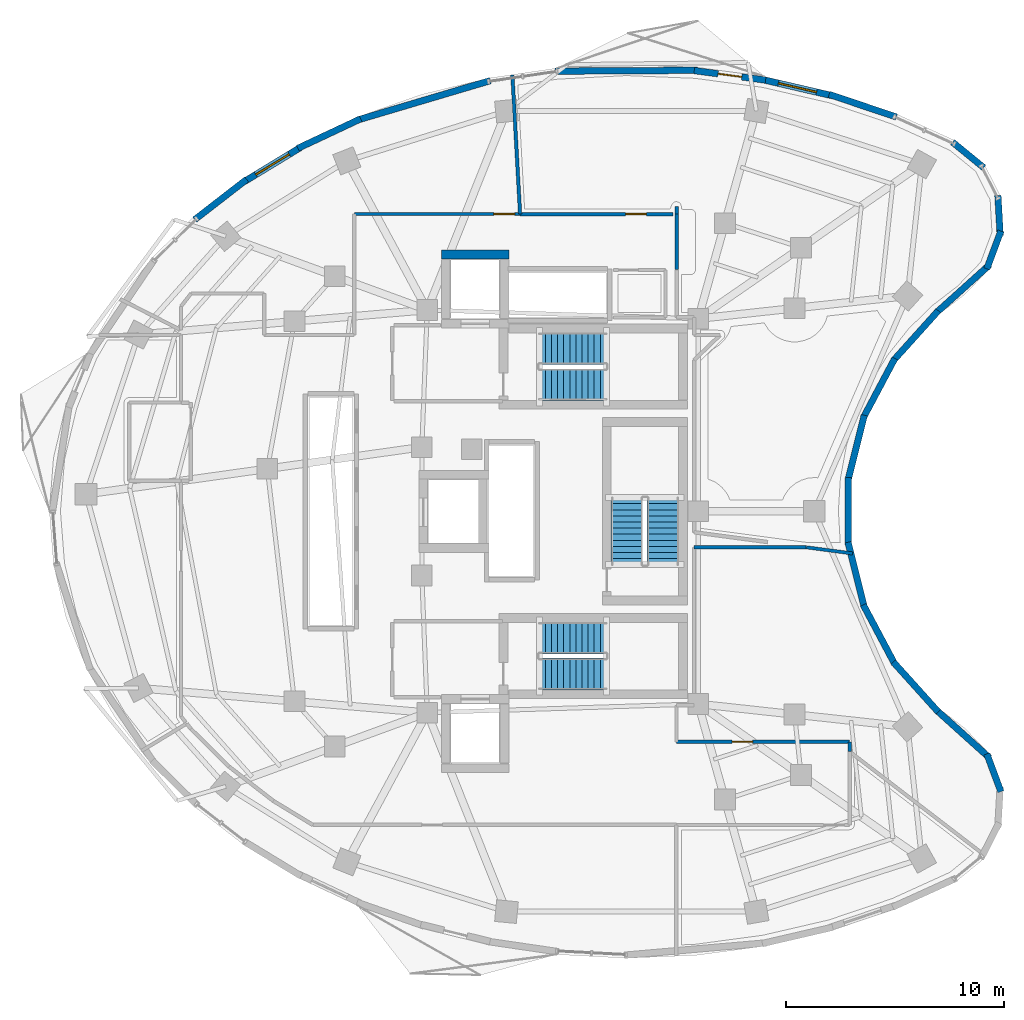
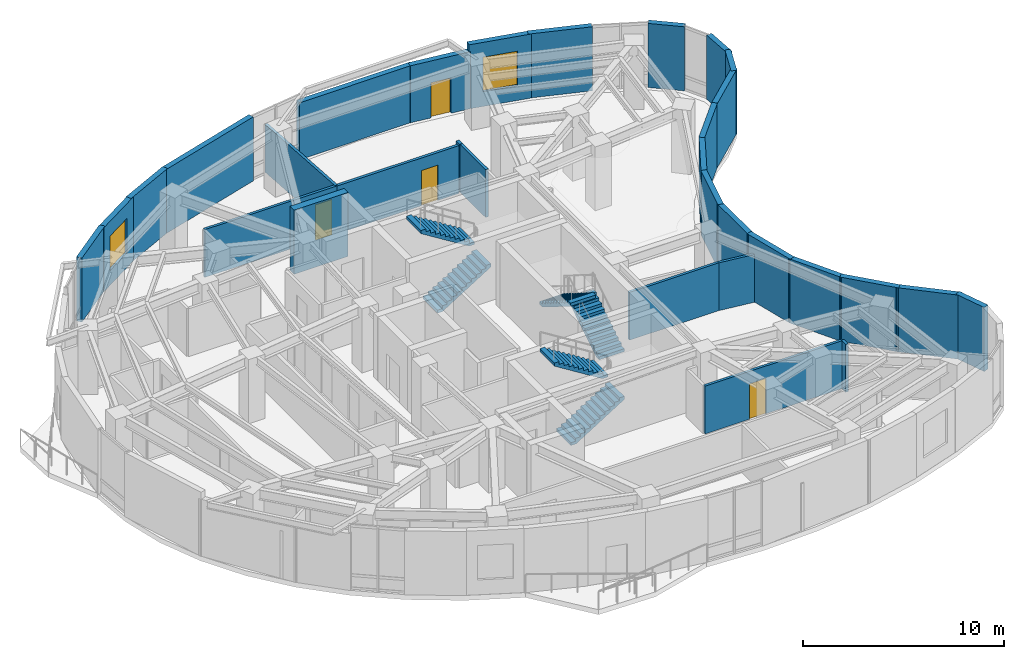
# One storey, part 9 of 12: 31 walls, 6 stair flights, 4 doors, 2 windows, 6 openings, 3 elements without a shape of their own.
"""IFC4 building model written with IfcOpenShell, lengths in metres."""

from ifc_helpers import new_model, si_unit, direction, frame, frame_2d, origin, place, context, subcontext, project, spatial, polyline, rectangle, outline, extrude, material, layer, layer_set, type_object, element, fill, aggregate, save


model = new_model("IFC4")

# Units and contexts
model_context = context("Model", 3, precision=1e-05, world=origin(), true_north=direction((0.0, 1.0)))
body_context = subcontext(model_context, "Body", "Model", "MODEL_VIEW")
ifc_project = project(units=[si_unit("LENGTHUNIT", "METRE"), si_unit("AREAUNIT", "SQUARE_METRE"), si_unit("VOLUMEUNIT", "CUBIC_METRE"), si_unit("PLANEANGLEUNIT", "RADIAN"), si_unit("MASSUNIT", "GRAM", prefix="KILO")], contexts=[model_context])

# Site, building, storey
site_placement = place(None, origin())
site = spatial("IfcSite", under=ifc_project, at=site_placement, CompositionType="ELEMENT")
building_placement = place(site_placement, origin())
building = spatial("IfcBuilding", under=site, at=building_placement, Name="Korentha Bioscience Tower", CompositionType="ELEMENT")
storey_placement = place(building_placement, frame((0.0, 0.0, 179.39990234375)))
storey = spatial("IfcBuildingStorey", under=building, at=storey_placement, Name="L41", CompositionType="ELEMENT", Elevation=179.39990234375)

# Wall, opening, door
ifc_material_1 = material(Name="Double-Stud Acoustic Gypsum", Category="gypsum")
ifc_layer_1 = layer(ifc_material_1, 0.14990234375, Name="Double-Stud Acoustic Gypsum")
ifc_layer_set_1 = layer_set([ifc_layer_1], Name="Double-Stud Acoustic Gypsum (IW-L150)")
wall_type_1 = type_object("IfcWallType", Name="Acoustic Laboratory Partition Wall 150", PredefinedType="PARTITIONING", material=ifc_layer_set_1)
wall_1_placement = place(storey_placement, frame((44.5, 16.409912109375, 0.0), z_axis=(0.0, 0.0, 1.0), x_axis=(-1.0, 0.0, 0.0)))
wall_1 = element("IfcWall", 1, at=wall_1_placement, inside=storey, type_object=wall_type_1, Name="L41 Principal Investigator Office 04 Entrance Wall", PredefinedType="PARTITIONING", context=body_context, shape_type="SweptSolid", body=[
    extrude(rectangle(XDim=7.947998046875, YDim=0.14990234375, at=frame_2d((3.97412109375, 0.0))), origin(), (0.0, 0.0, 1.0), 2.91015625),
])
opening_1_placement = place(wall_1_placement, frame((4.44873046875, 0.0, 0.0)))
opening_1 = element("IfcOpeningElement", 2, at=opening_1_placement, cuts=wall_1, Name="Opening ID-10L", PredefinedType="OPENING", context=body_context, shape_type="SweptSolid", body=[
    extrude(rectangle(XDim=0.949951171875, YDim=2.14990234375, at=frame_2d((0.47509765625, 1.074951171875))), frame((0.0, 0.08984375, 0.0), z_axis=(0.0, -1.0, 0.0), x_axis=(1.0, 0.0, 0.0)), (0.0, 0.0, 1.0), 0.1796875),
])
ifc_material_2 = material(Name="Phenolic Laminate Timber Core", Category="wood")
door_type_1 = type_object("IfcDoorType", Name="Laboratory Single Leaf Door 950x2150 Left", OperationType="SINGLE_SWING_LEFT", PredefinedType="DOOR", material=ifc_material_2)
door_1_placement = place(opening_1_placement, origin())
door_1 = element("IfcDoor", 3, at=door_1_placement, inside=storey, type_object=door_type_1, Name="L41 Principal Investigator Office 04 Door", OperationType="SINGLE_SWING_LEFT", OverallHeight=2.14990234375, OverallWidth=0.949951171875, PredefinedType="DOOR", context=body_context, shape_type="SweptSolid", body=[
    extrude(rectangle(XDim=0.949951171875, YDim=2.14990234375, at=frame_2d((0.47509765625, 1.074951171875))), frame((0.0, 0.02490234375, 0.0), z_axis=(0.0, -1.0, 0.0), x_axis=(1.0, 0.0, 0.0)), (0.0, 0.0, 1.0), 0.050048828125),
])
fill(opening_1, door_1)

wall_2_placement = place(storey_placement, frame((29.35546875, 40.659912109375, 0.0), z_axis=(0.0, 0.0, 1.0), x_axis=(-1.0, 0.0, 0.0)))
wall_2 = element("IfcWall", 4, at=wall_2_placement, inside=storey, type_object=wall_type_1, Name="L41 Principal Investigator Office 06 Entrance Wall", PredefinedType="PARTITIONING", context=body_context, shape_type="SweptSolid", body=[
    extrude(rectangle(XDim=7.60546875, YDim=0.14990234375, at=frame_2d((3.802734375, 0.0))), origin(), (0.0, 0.0, 1.0), 2.91015625),
])
opening_2_placement = place(wall_2_placement, frame((0.239990234375, 0.0, 0.0)))
opening_2 = element("IfcOpeningElement", 5, at=opening_2_placement, cuts=wall_2, Name="Opening ID-10L", PredefinedType="OPENING", context=body_context, shape_type="SweptSolid", body=[
    extrude(rectangle(XDim=0.949951171875, YDim=2.14990234375, at=frame_2d((0.47509765625, 1.074951171875))), frame((0.0, 0.08984375, 0.0), z_axis=(0.0, -1.0, 0.0), x_axis=(1.0, 0.0, 0.0)), (0.0, 0.0, 1.0), 0.1796875),
])
door_2_placement = place(opening_2_placement, origin())
door_2 = element("IfcDoor", 6, at=door_2_placement, inside=storey, type_object=door_type_1, Name="L41 Principal Investigator Office 06 Door", OperationType="SINGLE_SWING_LEFT", OverallHeight=2.14990234375, OverallWidth=0.949951171875, PredefinedType="DOOR", context=body_context, shape_type="SweptSolid", body=[
    extrude(rectangle(XDim=0.949951171875, YDim=2.14990234375, at=frame_2d((0.47509765625, 1.074951171875))), frame((0.0, 0.02490234375, 0.0), z_axis=(0.0, -1.0, 0.0), x_axis=(1.0, 0.0, 0.0)), (0.0, 0.0, 1.0), 0.050048828125),
])
fill(opening_2, door_2)

# Walls
wall_3_placement = place(storey_placement, frame((37.360107421875, 25.347900390625, 0.0), z_axis=(0.0, 0.0, 1.0), x_axis=(1.0, 0.0, 0.0)))
element("IfcWall", 7, at=wall_3_placement, inside=storey, type_object=wall_type_1, Name="L41 Interior Partition 029", PredefinedType="PARTITIONING", context=body_context, shape_type="SweptSolid", body=[
    extrude(rectangle(XDim=5.14990234375, YDim=0.14990234375, at=frame_2d((2.574951171875, 0.0))), origin(), (0.0, 0.0, 1.0), 2.91015625),
])
wall_4_placement = place(storey_placement, frame((42.510009765625, 25.347900390625, 0.0), z_axis=(0.0, 0.0, 1.0), x_axis=(0.991248706097, -0.132007585617, 0.0)))
element("IfcWall", 8, at=wall_4_placement, inside=storey, type_object=wall_type_1, Name="L41 Interior Partition 030", PredefinedType="PARTITIONING", context=body_context, shape_type="SweptSolid", body=[
    extrude(rectangle(XDim=2.15087890625, YDim=0.14990234375, at=frame_2d((1.075439453125, 0.0))), origin(), (0.0, 0.0, 1.0), 2.91015625),
])
wall_5_placement = place(storey_placement, frame((44.510009765625, 15.9658203125, 0.0), z_axis=(0.0, 0.0, 1.0), x_axis=(0.0, 1.0, 0.0)))
element("IfcWall", 9, at=wall_5_placement, inside=storey, type_object=wall_type_1, Name="L41 Interior Partition 031", PredefinedType="PARTITIONING", context=body_context, shape_type="SweptSolid", body=[
    extrude(rectangle(XDim=0.43408203125, YDim=0.14990234375, at=frame_2d((0.217041015625, 0.0))), origin(), (0.0, 0.0, 1.0), 2.91015625),
])

# Wall, opening, door
ifc_material_3 = material(Name="Gypsum-Clad Steel Stud", Category="steel")
ifc_layer_2 = layer(ifc_material_3, 0.159912109375, Name="Gypsum-Clad Steel Stud")
ifc_layer_set_2 = layer_set([ifc_layer_2], Name="Gypsum-Clad Steel Stud (IW-C160)")
wall_type_2 = type_object("IfcWallType", Name="Fire-Rated Corridor Partition Wall 160", PredefinedType="PARTITIONING", material=ifc_layer_set_2)
wall_6_placement = place(storey_placement, frame((36.384521484375, 40.659912109375, 0.0), z_axis=(0.0, 0.0, 1.0), x_axis=(-1.0, 0.0, 0.0)))
wall_6 = element("IfcWall", 10, at=wall_6_placement, inside=storey, type_object=wall_type_2, Name="L41 Glassware Autoclave Wash Alcove 05 Entrance Wall", PredefinedType="PARTITIONING", context=body_context, shape_type="SweptSolid", body=[
    extrude(rectangle(XDim=7.01904296875, YDim=0.159912109375, at=frame_2d((3.509521484375, 0.0))), origin(), (0.0, 0.0, 1.0), 2.91015625),
])
opening_3_placement = place(wall_6_placement, frame((1.21728515625, 0.0, 0.0)))
opening_3 = element("IfcOpeningElement", 11, at=opening_3_placement, cuts=wall_6, Name="Opening ID-10R", PredefinedType="OPENING", context=body_context, shape_type="SweptSolid", body=[
    extrude(rectangle(XDim=0.949951171875, YDim=2.14990234375, at=frame_2d((0.47509765625, 1.074951171875))), frame((0.0, 0.0947265625, 0.0), z_axis=(0.0, -1.0, 0.0), x_axis=(1.0, 0.0, 0.0)), (0.0, 0.0, 1.0), 0.189697265625),
])
door_type_2 = type_object("IfcDoorType", Name="Laboratory Single Leaf Door 950x2150 Right", OperationType="SINGLE_SWING_RIGHT", PredefinedType="DOOR", material=ifc_material_2)
door_3_placement = place(opening_3_placement, origin())
door_3 = element("IfcDoor", 12, at=door_3_placement, inside=storey, type_object=door_type_2, Name="L41 Glassware Autoclave Wash Alcove 05 Door", OperationType="SINGLE_SWING_RIGHT", OverallHeight=2.14990234375, OverallWidth=0.949951171875, PredefinedType="DOOR", context=body_context, shape_type="SweptSolid", body=[
    extrude(rectangle(XDim=0.949951171875, YDim=2.14990234375, at=frame_2d((0.47509765625, 1.074951171875))), frame((0.0, 0.02490234375, 0.0), z_axis=(0.0, -1.0, 0.0), x_axis=(1.0, 0.0, 0.0)), (0.0, 0.0, 1.0), 0.050048828125),
])
fill(opening_3, door_3)

# Walls
wall_7_placement = place(storey_placement, frame((36.56201171875, 38.10009765625, 0.0), z_axis=(0.0, 0.0, 1.0), x_axis=(0.0, 1.0, 0.0)))
element("IfcWall", 13, at=wall_7_placement, inside=storey, type_object=wall_type_2, Name="L41 Interior Partition 041", PredefinedType="PARTITIONING", context=body_context, shape_type="SweptSolid", body=[
    extrude(rectangle(XDim=2.5498046875, YDim=0.159912109375, at=frame_2d((1.27490234375, 0.0))), origin(), (0.0, 0.0, 1.0), 2.91015625),
])
wall_8_placement = place(storey_placement, frame((36.552001953125, 40.659912109375, 0.0), z_axis=(0.0, 0.0, 1.0), x_axis=(0.0, 1.0, 0.0)))
element("IfcWall", 14, at=wall_8_placement, inside=storey, type_object=wall_type_2, Name="L41 Interior Partition 043", PredefinedType="PARTITIONING", context=body_context, shape_type="SweptSolid", body=[
    extrude(rectangle(XDim=0.3466796875, YDim=0.159912109375, at=frame_2d((0.17333984375, 0.0))), origin(), (0.0, 0.0, 1.0), 2.91015625),
])
wall_9_placement = place(storey_placement, frame((29.365478515625, 40.659912109375, 0.0), z_axis=(0.0, 0.0, 1.0), x_axis=(-0.055309349604, 0.99846926635, 0.0)))
element("IfcWall", 15, at=wall_9_placement, inside=storey, type_object=wall_type_2, Name="L41 Interior Partition 044", PredefinedType="PARTITIONING", context=body_context, shape_type="SweptSolid", body=[
    extrude(rectangle(XDim=6.39599609375, YDim=0.159912109375, at=frame_2d((3.197998046875, 0.0))), origin(), (0.0, 0.0, 1.0), 2.91015625),
])

# Wall, opening, window
ifc_material_4 = material(Name="Honed Limestone Precast Concrete C40", Category="masonry")
ifc_layer_3 = layer(ifc_material_4, 0.300048828125, Name="Honed Limestone Precast Concrete C40")
ifc_layer_set_3 = layer_set([ifc_layer_3], Name="Honed Limestone Precast Concrete C40 (EW-ST300)")
wall_type_3 = type_object("IfcWallType", Name="Honed Limestone Cavity Spandrel Wall 300", PredefinedType="STANDARD", material=ifc_layer_set_3)
wall_10_placement = place(storey_placement, frame((43.70361328125, 46.096923828125, 0.0), z_axis=(0.0, 0.0, 1.0), x_axis=(-0.974182179996, 0.225763327799, 0.0)))
wall_10 = element("IfcWall", 16, at=wall_10_placement, inside=storey, type_object=wall_type_3, Name="L41 Honed Limestone Spandrel Wall 03", PredefinedType="STANDARD", context=body_context, shape_type="SweptSolid", body=[
    extrude(rectangle(XDim=3.2744140625, YDim=0.300048828125, at=frame_2d((1.63720703125, 0.0))), origin(), (0.0, 0.0, 1.0), 3.900146484375),
])
opening_4_placement = place(wall_10_placement, frame((0.7373046875, 0.0, 0.89990234375)))
opening_4 = element("IfcOpeningElement", 17, at=opening_4_placement, cuts=wall_10, Name="Opening WN-01", PredefinedType="OPENING", context=body_context, shape_type="SweptSolid", body=[
    extrude(rectangle(XDim=1.800048828125, YDim=2.10009765625, at=frame_2d((0.89990234375, 1.050048828125))), frame((0.0, 0.1650390625, 0.0), z_axis=(0.0, -1.0, 0.0), x_axis=(1.0, 0.0, 0.0)), (0.0, 0.0, 1.0), 0.329833984375),
])
ifc_material_5 = material(Name="Thermally Broken Aluminium Triple Glazing", Category="aluminium")
window_type = type_object("IfcWindowType", Name="Triple-Glazed Fixed Bioscience Window 1800x2100", PartitioningType="SINGLE_PANEL", PredefinedType="WINDOW", material=ifc_material_5)
window_1_placement = place(opening_4_placement, origin())
window_1 = element("IfcWindow", 18, at=window_1_placement, inside=storey, type_object=window_type, Name="L41 Facade Window 03", OverallHeight=2.10009765625, OverallWidth=1.800048828125, PartitioningType="SINGLE_PANEL", PredefinedType="WINDOW", context=body_context, shape_type="SweptSolid", body=[
    extrude(rectangle(XDim=1.800048828125, YDim=2.10009765625, at=frame_2d((0.89990234375, 1.050048828125))), frame((0.0, 0.030029296875, 0.0), z_axis=(0.0, -1.0, 0.0), x_axis=(1.0, 0.0, 0.0)), (0.0, 0.0, 1.0), 0.06005859375),
])
fill(opening_4, window_1)

# Wall, opening, door
wall_11_placement = place(storey_placement, frame((40.646484375, 46.81201171875, 0.0), z_axis=(0.0, 0.0, 1.0), x_axis=(-0.991139436205, 0.132825517122, 0.0)))
wall_11 = element("IfcWall", 19, at=wall_11_placement, inside=storey, type_object=wall_type_3, Name="L41 Balcony Threshold Wall 01", PredefinedType="STANDARD", context=body_context, shape_type="SweptSolid", body=[
    extrude(rectangle(XDim=3.310302734375, YDim=0.300048828125, at=frame_2d((1.6552734375, 0.0))), origin(), (0.0, 0.0, 1.0), 3.47021484375),
])
opening_5_placement = place(wall_11_placement, frame((1.105224609375, 0.0, 0.0)))
opening_5 = element("IfcOpeningElement", 20, at=opening_5_placement, cuts=wall_11, Name="Opening BD-11L", PredefinedType="OPENING", context=body_context, shape_type="SweptSolid", body=[
    extrude(rectangle(XDim=1.10009765625, YDim=2.14990234375, at=frame_2d((0.550048828125, 1.074951171875))), frame((0.0, 0.1650390625, 0.0), z_axis=(0.0, -1.0, 0.0), x_axis=(1.0, 0.0, 0.0)), (0.0, 0.0, 1.0), 0.329833984375),
])
ifc_material_6 = material(Name="Thermally Broken Glazed Aluminium", Category="aluminium")
door_type_3 = type_object("IfcDoorType", Name="Balcony Terrace Glazed Door 1100x2150 Left", OperationType="SINGLE_SWING_LEFT", PredefinedType="DOOR", material=ifc_material_6)
door_4_placement = place(opening_5_placement, origin())
door_4 = element("IfcDoor", 21, at=door_4_placement, inside=storey, type_object=door_type_3, Name="L41 Balcony Access Door 01", OperationType="SINGLE_SWING_LEFT", OverallHeight=2.14990234375, OverallWidth=1.10009765625, PredefinedType="DOOR", context=body_context, shape_type="SweptSolid", body=[
    extrude(rectangle(XDim=1.10009765625, YDim=2.14990234375, at=frame_2d((0.550048828125, 1.074951171875))), frame((0.0, 0.02490234375, 0.0), z_axis=(0.0, -1.0, 0.0), x_axis=(1.0, 0.0, 0.0)), (0.0, 0.0, 1.0), 0.050048828125),
])
fill(opening_5, door_4)

# Wall, opening, window
wall_12_placement = place(storey_placement, frame((19.303466796875, 43.736083984375, 0.0), z_axis=(0.0, 0.0, 1.0), x_axis=(-0.85455658592, -0.519358297769, 0.0)))
wall_12 = element("IfcWall", 22, at=wall_12_placement, inside=storey, type_object=wall_type_3, Name="L41 Honed Limestone Spandrel Wall 11", PredefinedType="STANDARD", context=body_context, shape_type="SweptSolid", body=[
    extrude(rectangle(XDim=3.06640625, YDim=0.300048828125, at=frame_2d((1.533203125, 0.0))), origin(), (0.0, 0.0, 1.0), 3.900146484375),
])
opening_6_placement = place(wall_12_placement, frame((0.63330078125, 0.0, 0.89990234375)))
opening_6 = element("IfcOpeningElement", 23, at=opening_6_placement, cuts=wall_12, Name="Opening WN-01", PredefinedType="OPENING", context=body_context, shape_type="SweptSolid", body=[
    extrude(rectangle(XDim=1.800048828125, YDim=2.10009765625, at=frame_2d((0.89990234375, 1.050048828125))), frame((0.0, 0.1650390625, 0.0), z_axis=(0.0, -1.0, 0.0), x_axis=(1.0, 0.0, 0.0)), (0.0, 0.0, 1.0), 0.329833984375),
])
window_2_placement = place(opening_6_placement, origin())
window_2 = element("IfcWindow", 24, at=window_2_placement, inside=storey, type_object=window_type, Name="L41 Facade Window 11", OverallHeight=2.10009765625, OverallWidth=1.800048828125, PartitioningType="SINGLE_PANEL", PredefinedType="WINDOW", context=body_context, shape_type="SweptSolid", body=[
    extrude(rectangle(XDim=1.800048828125, YDim=2.10009765625, at=frame_2d((0.89990234375, 1.050048828125))), frame((0.0, 0.030029296875, 0.0), z_axis=(0.0, -1.0, 0.0), x_axis=(1.0, 0.0, 0.0)), (0.0, 0.0, 1.0), 0.06005859375),
])
fill(opening_6, window_2)

# Walls
wall_13_placement = place(storey_placement, frame((46.652099609375, 45.117919921875, 0.0), z_axis=(0.0, 0.0, 1.0), x_axis=(-0.947683163779, 0.319212501462, 0.0)))
element("IfcWall", 25, at=wall_13_placement, inside=storey, type_object=wall_type_3, Name="L41 Limestone Perimeter Closure Wall 02", PredefinedType="STANDARD", context=body_context, shape_type="SweptSolid", body=[
    extrude(rectangle(XDim=3.261962890625, YDim=0.300048828125, at=frame_2d((1.630859375, 0.0))), origin(), (0.0, 0.0, 1.0), 3.900146484375),
])
wall_14_placement = place(storey_placement, frame((37.52685546875, 47.2626953125, 0.0), z_axis=(0.0, 0.0, 1.0), x_axis=(-0.999982312698, -0.005947629086, 0.0)))
element("IfcWall", 26, at=wall_14_placement, inside=storey, type_object=wall_type_3, Name="L41 Limestone Perimeter Closure Wall 05", PredefinedType="STANDARD", context=body_context, shape_type="SweptSolid", body=[
    extrude(rectangle(XDim=6.567626953125, YDim=0.300048828125, at=frame_2d((3.28369140625, 0.0))), origin(), (0.0, 0.0, 1.0), 3.47021484375),
])
wall_15_placement = place(storey_placement, frame((28.001708984375, 46.791259765625, 0.0), z_axis=(0.0, 0.0, 1.0), x_axis=(-0.958672086524, -0.284513322218, 0.0)))
element("IfcWall", 27, at=wall_15_placement, inside=storey, type_object=wall_type_3, Name="L41 Limestone Perimeter Closure Wall 08", PredefinedType="STANDARD", context=body_context, shape_type="SweptSolid", body=[
    extrude(rectangle(XDim=6.3955078125, YDim=0.300048828125, at=frame_2d((3.19775390625, 0.0))), origin(), (0.0, 0.0, 1.0), 3.900146484375),
])
wall_16_placement = place(storey_placement, frame((22.03955078125, 45.035888671875, 0.0), z_axis=(0.0, 0.0, 1.0), x_axis=(-0.90504435143, -0.425317201561, 0.0)))
element("IfcWall", 28, at=wall_16_placement, inside=storey, type_object=wall_type_3, Name="L41 Limestone Perimeter Closure Wall 10", PredefinedType="STANDARD", context=body_context, shape_type="SweptSolid", body=[
    extrude(rectangle(XDim=3.185791015625, YDim=0.300048828125, at=frame_2d((1.5927734375, 0.0))), origin(), (0.0, 0.0, 1.0), 3.900146484375),
])
wall_17_placement = place(storey_placement, frame((16.80029296875, 42.249755859375, 0.0), z_axis=(0.0, 0.0, 1.0), x_axis=(-0.790530517055, -0.612422649488, 0.0)))
element("IfcWall", 29, at=wall_17_placement, inside=storey, type_object=wall_type_3, Name="L41 Limestone Perimeter Closure Wall 12", PredefinedType="STANDARD", context=body_context, shape_type="SweptSolid", body=[
    extrude(rectangle(XDim=3.019775390625, YDim=0.300048828125, at=frame_2d((1.509765625, 0.0))), origin(), (0.0, 0.0, 1.0), 3.900146484375),
])
wall_18_placement = place(storey_placement, frame((51.45751953125, 14.121337890625, 0.0), z_axis=(0.0, 0.0, 1.0), x_axis=(-0.348984166898, 0.937128620443, 0.0)))
element("IfcWall", 30, at=wall_18_placement, inside=storey, type_object=wall_type_3, Name="L41 Limestone Perimeter Closure Wall 40", PredefinedType="STANDARD", context=body_context, shape_type="SweptSolid", body=[
    extrude(rectangle(XDim=1.851806640625, YDim=0.300048828125, at=frame_2d((0.92578125, 0.0))), origin(), (0.0, 0.0, 1.0), 3.900146484375),
])
wall_19_placement = place(storey_placement, frame((50.936279296875, 15.6728515625, 0.0), z_axis=(0.0, 0.0, 1.0), x_axis=(-0.743341827472, 0.668911748687, 0.0)))
element("IfcWall", 31, at=wall_19_placement, inside=storey, type_object=wall_type_3, Name="L41 Limestone Perimeter Closure Wall 41", PredefinedType="STANDARD", context=body_context, shape_type="SweptSolid", body=[
    extrude(rectangle(XDim=3.3095703125, YDim=0.300048828125, at=frame_2d((1.65478515625, 0.0))), origin(), (0.0, 0.0, 1.0), 3.900146484375),
])
for number, where, z_axis, x_axis, name in (
    (32, (48.57861328125, 17.7841796875, 0.0), (0.0, 0.0, 1.0), (-0.669165704933, 0.743113221079, 0.0), "L41 Limestone Perimeter Closure Wall 43"),
    (33, (46.58447265625, 19.975830078125, 0.0), (0.0, 0.0, 1.0), (-0.469471310295, 0.882947727111, 0.0), "L41 Limestone Perimeter Closure Wall 45"),
    (34, (45.179931640625, 22.585205078125, 0.0), (0.0, 0.0, 1.0), (-0.241940068914, 0.970291194979, 0.0), "L41 Limestone Perimeter Closure Wall 47"),
    (35, (44.448486328125, 25.45654296875, 0.0), (0.0, 0.0, 1.0), (0.0, 1.0, 0.0), "L41 Limestone Perimeter Closure Wall 49"),
    (36, (44.43310546875, 28.419677734375, 0.0), (0.0, 0.0, 1.0), (0.241940068914, 0.970291194979, 0.0), "L41 Limestone Perimeter Closure Wall 51"),
    (37, (45.13525390625, 31.298583984375, 0.0), (0.0, 0.0, 1.0), (0.469471310295, 0.882947727111, 0.0), "L41 Limestone Perimeter Closure Wall 53"),
    (38, (46.512939453125, 33.921875, 0.0), (0.0, 0.0, 1.0), (0.669165704933, 0.743113221079, 0.0), "L41 Limestone Perimeter Closure Wall 55"),
):
    element("IfcWall", number, at=place(storey_placement, frame(where, z_axis=z_axis, x_axis=x_axis)), inside=storey, type_object=wall_type_3, Name=name, PredefinedType="STANDARD", context=body_context, shape_type="SweptSolid", body=[
        extrude(rectangle(XDim=3.0869140625, YDim=0.300048828125, at=frame_2d((1.54345703125, 0.0))), origin(), (0.0, 0.0, 1.0), 3.900146484375),
    ])
wall_20_placement = place(storey_placement, frame((48.47607421875, 36.11328125, 0.0), z_axis=(0.0, 0.0, 1.0), x_axis=(0.743341827472, 0.668911748687, 0.0)))
element("IfcWall", 39, at=wall_20_placement, inside=storey, type_object=wall_type_3, Name="L41 Limestone Perimeter Closure Wall 57", PredefinedType="STANDARD", context=body_context, shape_type="SweptSolid", body=[
    extrude(rectangle(XDim=3.3095703125, YDim=0.300048828125, at=frame_2d((1.65478515625, 0.0))), origin(), (0.0, 0.0, 1.0), 3.900146484375),
])
for number, where, z_axis, x_axis, name in (
    (40, (50.811279296875, 38.143310546875, 0.0), (0.0, 0.0, 1.0), (0.348984166898, 0.937128620443, 0.0), "L41 Limestone Perimeter Closure Wall 59"),
    (41, (51.425537109375, 39.6669921875, 0.0), (0.0, 0.0, 1.0), (-0.057485341891, 0.998346350455, 0.0), "L41 Limestone Perimeter Closure Wall 60"),
    (42, (50.668212890625, 42.7919921875, 0.0), (0.0, 0.0, 1.0), (-0.774174596654, 0.632972111467, 0.0), "L41 Limestone Perimeter Closure Wall 62"),
):
    element("IfcWall", number, at=place(storey_placement, frame(where, z_axis=z_axis, x_axis=x_axis)), inside=storey, type_object=wall_type_3, Name=name, PredefinedType="STANDARD", context=body_context, shape_type="SweptSolid", body=[
        extrude(rectangle(XDim=1.851806640625, YDim=0.300048828125, at=frame_2d((0.92578125, 0.0))), origin(), (0.0, 0.0, 1.0), 3.900146484375),
    ])
ifc_material_7 = material(Name="Concrete C65", Category="concrete")
ifc_layer_4 = layer(ifc_material_7, 0.39990234375, Name="Concrete C65")
ifc_layer_set_4 = layer_set([ifc_layer_4], Name="Concrete C65 (CW-C65)")
wall_type_4 = type_object("IfcWallType", Name="Mid-Rise Core Shear Wall 400", PredefinedType="SHEAR", material=ifc_layer_set_4)
wall_21_placement = place(storey_placement, frame((25.75, 38.800048828125, 0.0), z_axis=(0.0, 0.0, 1.0), x_axis=(1.0, 0.0, 0.0)))
element("IfcWall", 43, at=wall_21_placement, inside=storey, type_object=wall_type_4, Name="L41 Core Shear Wall FFL2-N", PredefinedType="SHEAR", context=body_context, shape_type="SweptSolid", body=[
    extrude(rectangle(XDim=3.10009765625, YDim=0.39990234375, at=frame_2d((1.550048828125, 0.0))), origin(), (0.0, 0.0, 1.0), 3.900146484375),
])

# Stair, stair flights
ifc_material_8 = material(Name="Precast Concrete C50", Category="concrete")
stair_type = type_object("IfcStairType", Name="Core Exit Dog-Leg Stair 1450", PredefinedType="HALF_TURN_STAIR", material=ifc_material_8)
stair_1_placement = place(storey_placement, origin())
stair_1 = element("IfcStair", 44, at=stair_1_placement, inside=storey, type_object=stair_type, Name="L41 Tower North Pressurized Exit Stair ST-1", PredefinedType="HALF_TURN_STAIR")
stair_flight_type = type_object("IfcStairFlightType", Name="Core Exit Dog-Leg Stair 1450 Flight", PredefinedType="STRAIGHT", material=ifc_material_8)
stair_flight_1_placement = place(storey_placement, frame((30.25, 32.824951171875, 0.0), z_axis=(0.0, 0.0, 1.0), x_axis=(1.0, 0.0, 0.0)))
stair_flight_1 = element("IfcStairFlight", 45, at=stair_flight_1_placement, type_object=stair_flight_type, Name="ST-1 flight 1", NumberOfRisers=12, NumberOfTreads=11, PredefinedType="STRAIGHT", RiserHeight=0.175, TreadLength=0.28, context=body_context, shape_type="SweptSolid", body=[
    extrude(outline(polyline([(0.0, 0.0), (0.0, 0.175048828125), (0.280029296875, 0.175048828125), (0.280029296875, 0.35009765625), (0.56005859375, 0.35009765625), (0.56005859375, 0.52490234375), (0.840087890625, 0.52490234375), (0.840087890625, 0.699951171875), (1.1201171875, 0.699951171875), (1.1201171875, 0.875), (1.39990234375, 0.875), (1.39990234375, 1.050048828125), (1.679931640625, 1.050048828125), (1.679931640625, 1.22509765625), (1.9599609375, 1.22509765625), (1.9599609375, 1.39990234375), (2.239990234375, 1.39990234375), (2.239990234375, 1.574951171875), (2.52001953125, 1.574951171875), (2.52001953125, 1.75), (2.800048828125, 1.75), (2.800048828125, 1.925048828125), (3.080078125, 1.925048828125), (3.080078125, 2.10009765625), (3.080078125, 1.736328125), (0.3017578125, 0.0), (0.0, 0.0)])), frame((0.0, 0.72509765625, 0.0), z_axis=(0.0, -1.0, 0.0), x_axis=(1.0, 0.0, 0.0)), (0.0, 0.0, 1.0), 1.449951171875),
])
stair_flight_2_placement = place(storey_placement, frame((33.330078125, 34.47509765625, 2.10009765625), z_axis=(0.0, 0.0, 1.0), x_axis=(-1.0, 0.0, 0.0)))
stair_flight_2 = element("IfcStairFlight", 46, at=stair_flight_2_placement, type_object=stair_flight_type, Name="ST-1 flight 2", NumberOfRisers=12, NumberOfTreads=11, PredefinedType="STRAIGHT", RiserHeight=0.175, TreadLength=0.28, context=body_context, shape_type="SweptSolid", body=[
    extrude(outline(polyline([(0.0, 0.0), (0.0, 0.175048828125), (0.280029296875, 0.175048828125), (0.280029296875, 0.35009765625), (0.56005859375, 0.35009765625), (0.56005859375, 0.52490234375), (0.840087890625, 0.52490234375), (0.840087890625, 0.699951171875), (1.1201171875, 0.699951171875), (1.1201171875, 0.875), (1.39990234375, 0.875), (1.39990234375, 1.050048828125), (1.679931640625, 1.050048828125), (1.679931640625, 1.22509765625), (1.9599609375, 1.22509765625), (1.9599609375, 1.39990234375), (2.239990234375, 1.39990234375), (2.239990234375, 1.574951171875), (2.52001953125, 1.574951171875), (2.52001953125, 1.75), (2.800048828125, 1.75), (2.800048828125, 1.925048828125), (3.080078125, 1.925048828125), (3.080078125, 2.10009765625), (3.080078125, 1.736328125), (0.3017578125, 0.0), (0.0, 0.0)])), frame((0.0, 0.72509765625, 0.0), z_axis=(0.0, -1.0, 0.0), x_axis=(1.0, 0.0, 0.0)), (0.0, 0.0, 1.0), 1.449951171875),
])
aggregate(stair_1, [stair_flight_1, stair_flight_2])

stair_2_placement = place(storey_placement, origin())
stair_2 = element("IfcStair", 47, at=stair_2_placement, inside=storey, type_object=stair_type, Name="L41 Tower South Pressurized Exit Stair ST-2", PredefinedType="HALF_TURN_STAIR")
stair_flight_3_placement = place(storey_placement, frame((30.25, 19.52490234375, 0.0), z_axis=(0.0, 0.0, 1.0), x_axis=(1.0, 0.0, 0.0)))
stair_flight_3 = element("IfcStairFlight", 48, at=stair_flight_3_placement, type_object=stair_flight_type, Name="ST-2 flight 1", NumberOfRisers=12, NumberOfTreads=11, PredefinedType="STRAIGHT", RiserHeight=0.175, TreadLength=0.28, context=body_context, shape_type="SweptSolid", body=[
    extrude(outline(polyline([(0.0, 0.0), (0.0, 0.175048828125), (0.280029296875, 0.175048828125), (0.280029296875, 0.35009765625), (0.56005859375, 0.35009765625), (0.56005859375, 0.52490234375), (0.840087890625, 0.52490234375), (0.840087890625, 0.699951171875), (1.1201171875, 0.699951171875), (1.1201171875, 0.875), (1.39990234375, 0.875), (1.39990234375, 1.050048828125), (1.679931640625, 1.050048828125), (1.679931640625, 1.22509765625), (1.9599609375, 1.22509765625), (1.9599609375, 1.39990234375), (2.239990234375, 1.39990234375), (2.239990234375, 1.574951171875), (2.52001953125, 1.574951171875), (2.52001953125, 1.75), (2.800048828125, 1.75), (2.800048828125, 1.925048828125), (3.080078125, 1.925048828125), (3.080078125, 2.10009765625), (3.080078125, 1.736328125), (0.3017578125, 0.0), (0.0, 0.0)])), frame((0.0, 0.72509765625, 0.0), z_axis=(0.0, -1.0, 0.0), x_axis=(1.0, 0.0, 0.0)), (0.0, 0.0, 1.0), 1.449951171875),
])
stair_flight_4_placement = place(storey_placement, frame((33.330078125, 21.175048828125, 2.10009765625), z_axis=(0.0, 0.0, 1.0), x_axis=(-1.0, 0.0, 0.0)))
stair_flight_4 = element("IfcStairFlight", 49, at=stair_flight_4_placement, type_object=stair_flight_type, Name="ST-2 flight 2", NumberOfRisers=12, NumberOfTreads=11, PredefinedType="STRAIGHT", RiserHeight=0.175, TreadLength=0.28, context=body_context, shape_type="SweptSolid", body=[
    extrude(outline(polyline([(0.0, 0.0), (0.0, 0.175048828125), (0.280029296875, 0.175048828125), (0.280029296875, 0.35009765625), (0.56005859375, 0.35009765625), (0.56005859375, 0.52490234375), (0.840087890625, 0.52490234375), (0.840087890625, 0.699951171875), (1.1201171875, 0.699951171875), (1.1201171875, 0.875), (1.39990234375, 0.875), (1.39990234375, 1.050048828125), (1.679931640625, 1.050048828125), (1.679931640625, 1.22509765625), (1.9599609375, 1.22509765625), (1.9599609375, 1.39990234375), (2.239990234375, 1.39990234375), (2.239990234375, 1.574951171875), (2.52001953125, 1.574951171875), (2.52001953125, 1.75), (2.800048828125, 1.75), (2.800048828125, 1.925048828125), (3.080078125, 1.925048828125), (3.080078125, 2.10009765625), (3.080078125, 1.736328125), (0.3017578125, 0.0), (0.0, 0.0)])), frame((0.0, 0.72509765625, 0.0), z_axis=(0.0, -1.0, 0.0), x_axis=(1.0, 0.0, 0.0)), (0.0, 0.0, 1.0), 1.449951171875),
])
aggregate(stair_2, [stair_flight_3, stair_flight_4])

stair_3_placement = place(storey_placement, origin())
stair_3 = element("IfcStair", 50, at=stair_3_placement, inside=storey, type_object=stair_type, Name="L41 Tower Central Pressurized Exit Stair ST-3", PredefinedType="HALF_TURN_STAIR")
stair_flight_5_placement = place(storey_placement, frame((35.925048828125, 24.550048828125, 0.0), z_axis=(0.0, 0.0, 1.0), x_axis=(0.0, 1.0, 0.0)))
stair_flight_5 = element("IfcStairFlight", 51, at=stair_flight_5_placement, type_object=stair_flight_type, Name="ST-3 flight 1", NumberOfRisers=12, NumberOfTreads=11, PredefinedType="STRAIGHT", RiserHeight=0.175, TreadLength=0.28, context=body_context, shape_type="SweptSolid", body=[
    extrude(outline(polyline([(0.0, 0.0), (0.0, 0.175048828125), (0.280029296875, 0.175048828125), (0.280029296875, 0.35009765625), (0.56005859375, 0.35009765625), (0.56005859375, 0.52490234375), (0.840087890625, 0.52490234375), (0.840087890625, 0.699951171875), (1.1201171875, 0.699951171875), (1.1201171875, 0.875), (1.39990234375, 0.875), (1.39990234375, 1.050048828125), (1.679931640625, 1.050048828125), (1.679931640625, 1.22509765625), (1.9599609375, 1.22509765625), (1.9599609375, 1.39990234375), (2.239990234375, 1.39990234375), (2.239990234375, 1.574951171875), (2.52001953125, 1.574951171875), (2.52001953125, 1.75), (2.800048828125, 1.75), (2.800048828125, 1.925048828125), (3.080078125, 1.925048828125), (3.080078125, 2.10009765625), (3.080078125, 1.736328125), (0.3017578125, 0.0), (0.0, 0.0)])), frame((0.0, 0.72509765625, 0.0), z_axis=(0.0, -1.0, 0.0), x_axis=(1.0, 0.0, 0.0)), (0.0, 0.0, 1.0), 1.449951171875),
])
stair_flight_6_placement = place(storey_placement, frame((34.27490234375, 27.6298828125, 2.10009765625), z_axis=(0.0, 0.0, 1.0), x_axis=(0.0, -1.0, 0.0)))
stair_flight_6 = element("IfcStairFlight", 52, at=stair_flight_6_placement, type_object=stair_flight_type, Name="ST-3 flight 2", NumberOfRisers=12, NumberOfTreads=11, PredefinedType="STRAIGHT", RiserHeight=0.175, TreadLength=0.28, context=body_context, shape_type="SweptSolid", body=[
    extrude(outline(polyline([(0.0, 0.0), (0.0, 0.175048828125), (0.280029296875, 0.175048828125), (0.280029296875, 0.35009765625), (0.56005859375, 0.35009765625), (0.56005859375, 0.52490234375), (0.840087890625, 0.52490234375), (0.840087890625, 0.699951171875), (1.1201171875, 0.699951171875), (1.1201171875, 0.875), (1.39990234375, 0.875), (1.39990234375, 1.050048828125), (1.679931640625, 1.050048828125), (1.679931640625, 1.22509765625), (1.9599609375, 1.22509765625), (1.9599609375, 1.39990234375), (2.239990234375, 1.39990234375), (2.239990234375, 1.574951171875), (2.52001953125, 1.574951171875), (2.52001953125, 1.75), (2.800048828125, 1.75), (2.800048828125, 1.925048828125), (3.080078125, 1.925048828125), (3.080078125, 2.10009765625), (3.080078125, 1.736328125), (0.3017578125, 0.0), (0.0, 0.0)])), frame((0.0, 0.72509765625, 0.0), z_axis=(0.0, -1.0, 0.0), x_axis=(1.0, 0.0, 0.0)), (0.0, 0.0, 1.0), 1.449951171875),
])
aggregate(stair_3, [stair_flight_5, stair_flight_6])

save(model, "model.ifc")
